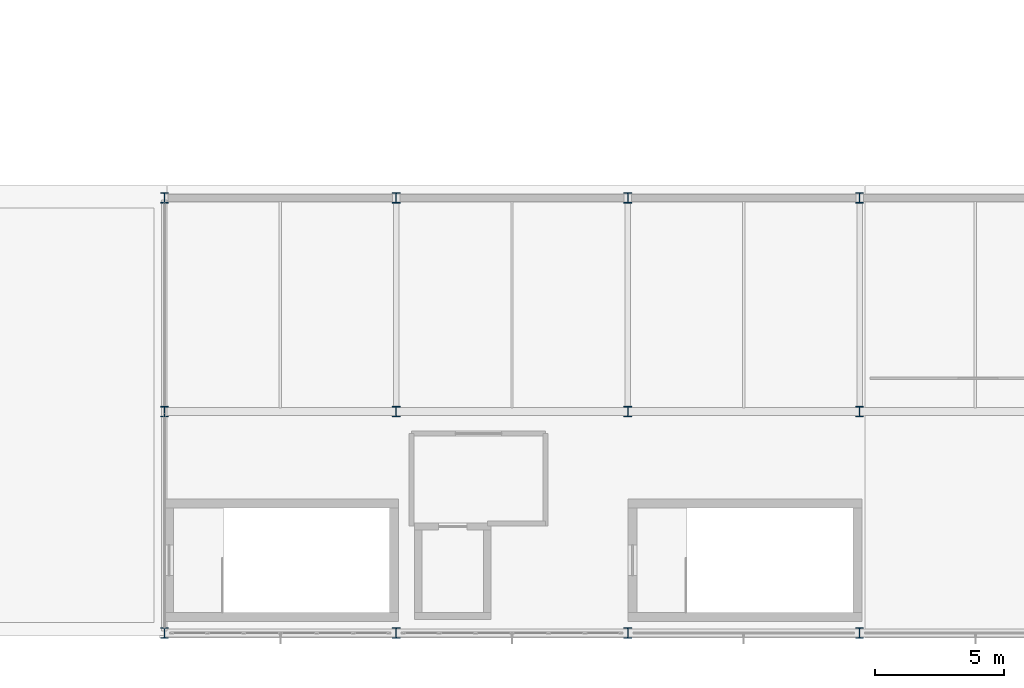
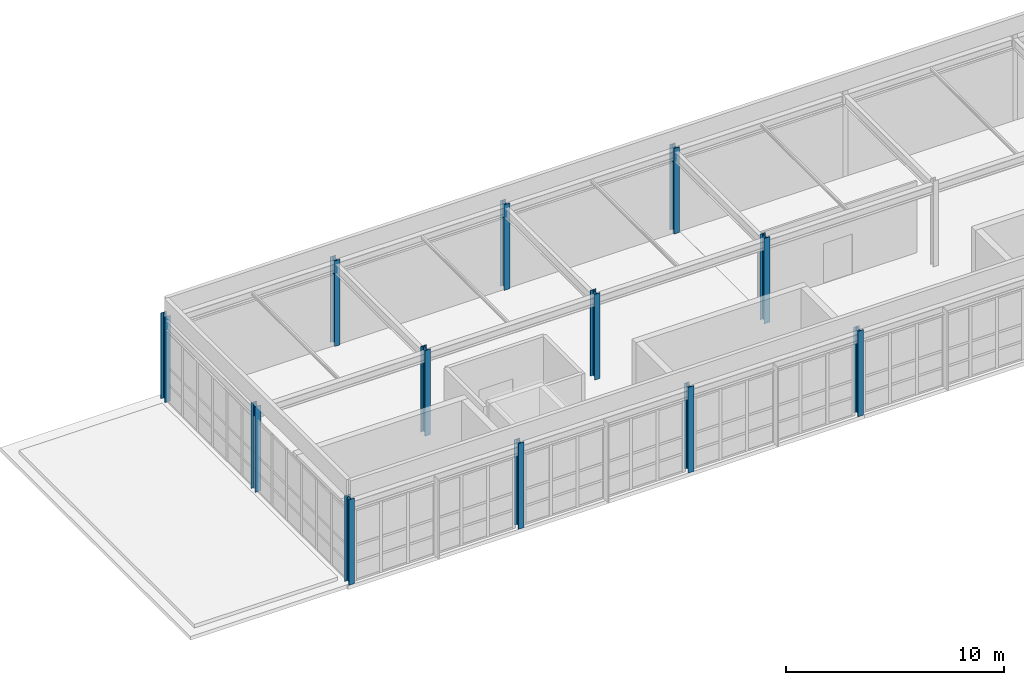
# One storey, part 1 of 38: 12 columns.
"""IFC4 building model written with IfcOpenShell, lengths in metres."""

from ifc_helpers import new_model, si_unit, direction, frame, origin, origin_2d, place, context, subcontext, project, spatial, i_section, extrude, material, material_profile, profile_set, type_object, element, save


model = new_model("IFC4")

# Units and contexts
model_context = context("Model", 3, precision=1e-05, world=origin(), true_north=direction((0.0, 1.0)))
body_context = subcontext(model_context, "Body", "Model", "MODEL_VIEW")
ifc_project = project(units=[si_unit("LENGTHUNIT", "METRE"), si_unit("AREAUNIT", "SQUARE_METRE"), si_unit("VOLUMEUNIT", "CUBIC_METRE"), si_unit("PLANEANGLEUNIT", "RADIAN"), si_unit("MASSUNIT", "GRAM", prefix="KILO")], contexts=[model_context])

# Site, building, storey
site_placement = place(None, origin())
site = spatial("IfcSite", under=ifc_project, at=site_placement, CompositionType="ELEMENT")
building_placement = place(site_placement, origin())
building = spatial("IfcBuilding", under=site, at=building_placement, Name="Kaldris Quays Convention Centre", CompositionType="ELEMENT")
storey_placement = place(building_placement, frame((0.0, 0.0, 21.60009765625)))
storey = spatial("IfcBuildingStorey", under=building, at=storey_placement, Name="L04", CompositionType="ELEMENT", Elevation=21.60009765625)

# Columns
ifc_material = material(Name="Steel S355J2", Category="steel")
ifc_material_profile = material_profile(ifc_material, i_section(OverallWidth=0.300048828125, OverallDepth=0.39990234375, WebThickness=0.013427734375, FlangeThickness=0.02392578125, FilletRadius=0.027099609375, at=origin_2d()), Name="HEB 400")
ifc_profile_set = profile_set([ifc_material_profile], Name="Steel S355J2")
column_type = type_object("IfcColumnType", Name="STRUCTURAL COLUMN CL09", PredefinedType="COLUMN", material=ifc_profile_set)
for number, where, z_axis, x_axis, name in (
    (1, (92.0, 38.0, 0.0), (0.0, 0.0, 1.0), (1.0, 0.0, 0.0), "L04 V4 Column CL09 (92.00, 38.00)"),
    (2, (92.0, 46.60009765625, 0.0), (0.0, 0.0, 1.0), (1.0, 0.0, 0.0), "L04 V4 Column CL09 (92.00, 46.60)"),
    (3, (92.0, 54.89990234375, 0.0), (0.0, 0.0, 1.0), (1.0, 0.0, 0.0), "L04 V4 Column CL09 (92.00, 54.90)"),
    (4, (101.0, 38.0, 0.0), (0.0, 0.0, 1.0), (1.0, 0.0, 0.0), "L04 V4 Column CL09 (101.00, 38.00)"),
    (5, (101.0, 46.60009765625, 0.0), (0.0, 0.0, 1.0), (1.0, 0.0, 0.0), "L04 V4 Column CL09 (101.00, 46.60)"),
    (6, (101.0, 54.89990234375, 0.0), (0.0, 0.0, 1.0), (1.0, 0.0, 0.0), "L04 V4 Column CL09 (101.00, 54.90)"),
    (7, (110.0, 38.0, 0.0), (0.0, 0.0, 1.0), (1.0, 0.0, 0.0), "L04 V4 Column CL09 (110.00, 38.00)"),
    (8, (110.0, 46.60009765625, 0.0), (0.0, 0.0, 1.0), (1.0, 0.0, 0.0), "L04 V4 Column CL09 (110.00, 46.60)"),
    (9, (110.0, 54.89990234375, 0.0), (0.0, 0.0, 1.0), (1.0, 0.0, 0.0), "L04 V4 Column CL09 (110.00, 54.90)"),
    (10, (119.0, 38.0, 0.0), (0.0, 0.0, 1.0), (1.0, 0.0, 0.0), "L04 V4 Column CL09 (119.00, 38.00)"),
    (11, (119.0, 46.60009765625, 0.0), (0.0, 0.0, 1.0), (1.0, 0.0, 0.0), "L04 V4 Column CL09 (119.00, 46.60)"),
    (12, (119.0, 54.89990234375, 0.0), (0.0, 0.0, 1.0), (1.0, 0.0, 0.0), "L04 V4 Column CL09 (119.00, 54.90)"),
):
    element("IfcColumn", number, at=place(storey_placement, frame(where, z_axis=z_axis, x_axis=x_axis)), inside=storey, type_object=column_type, Name=name, PredefinedType="COLUMN", context=body_context, shape_type="SweptSolid", body=[
        extrude(i_section(OverallWidth=0.300048828125, OverallDepth=0.39990234375, WebThickness=0.013427734375, FlangeThickness=0.02392578125, FilletRadius=0.027099609375, at=origin_2d()), origin(), (0.0, 0.0, 1.0), 4.7998046875),
    ])

save(model, "model.ifc")
